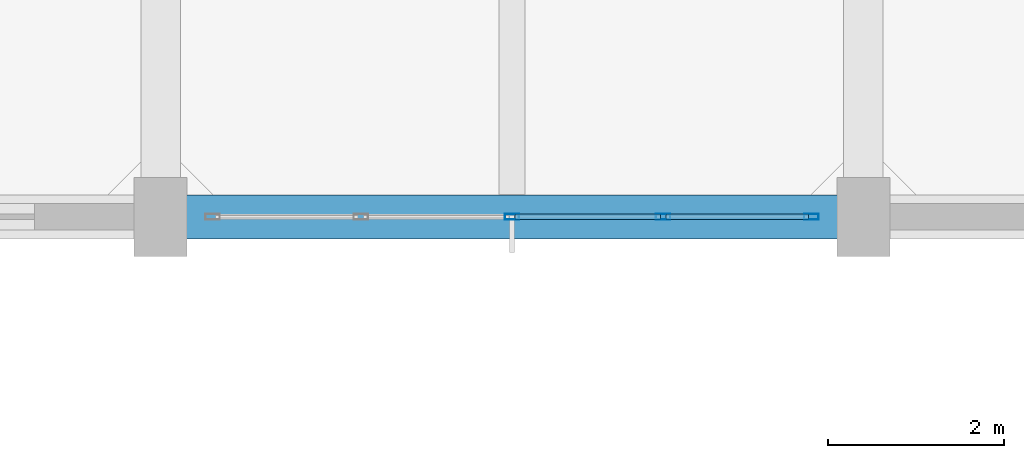
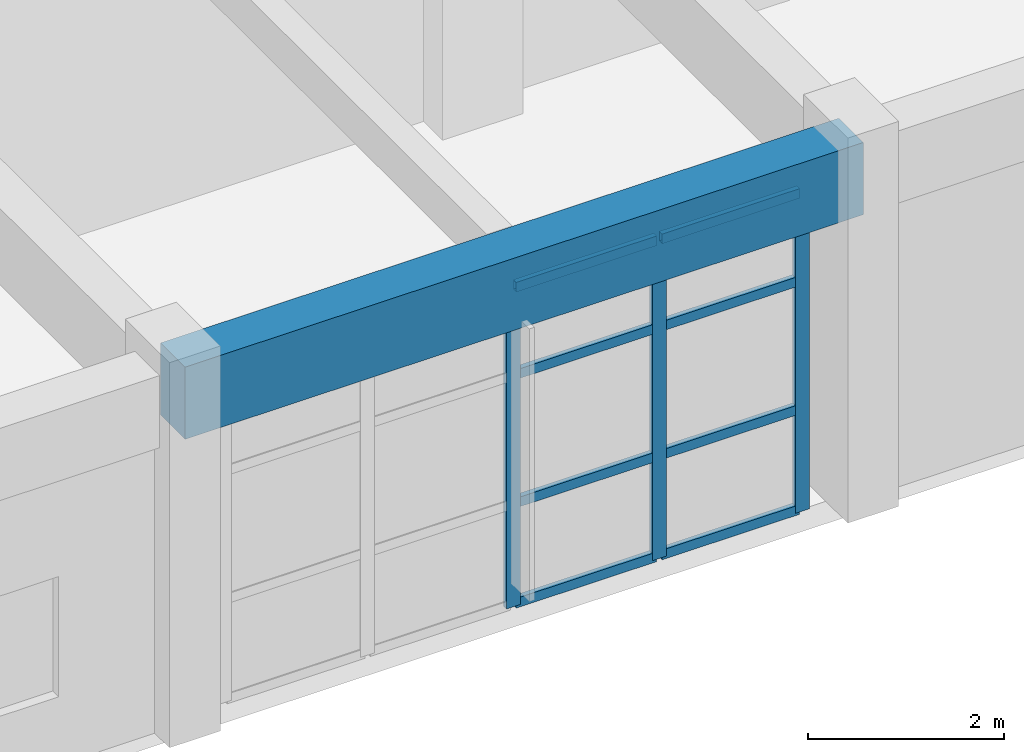
# One storey, part 187 of 248: 11 members, 1 beam, 1 element without a shape of its own.
"""IFC4 building model written with IfcOpenShell, lengths in metres."""

from ifc_helpers import new_model, si_unit, direction, frame, origin, origin_2d, place, context, subcontext, project, spatial, rectangle, hollow_rectangle, extrude, material, layer, layer_set, material_profile, profile_set, type_object, element, aggregate, save


model = new_model("IFC4")

# Units and contexts
model_context = context("Model", 3, precision=1e-05, world=origin(), true_north=direction((0.0, 1.0)))
body_context = subcontext(model_context, "Body", "Model", "MODEL_VIEW")
ifc_project = project(units=[si_unit("LENGTHUNIT", "METRE"), si_unit("AREAUNIT", "SQUARE_METRE"), si_unit("VOLUMEUNIT", "CUBIC_METRE"), si_unit("PLANEANGLEUNIT", "RADIAN"), si_unit("MASSUNIT", "GRAM", prefix="KILO")], contexts=[model_context])

# Site, building, storey
site_placement = place(None, origin())
site = spatial("IfcSite", under=ifc_project, at=site_placement, CompositionType="ELEMENT")
building_placement = place(site_placement, origin())
building = spatial("IfcBuilding", under=site, at=building_placement, Name="Canggui Botanical Conservatory", CompositionType="ELEMENT")
storey_placement = place(building_placement, frame((0.0, 0.0, 5.39990234375)))
storey = spatial("IfcBuildingStorey", under=building, at=storey_placement, Name="L02", CompositionType="ELEMENT", Elevation=5.39990234375)

# Beam
ifc_material_1 = material(Name="Concrete C35", Category="concrete")
ifc_material_profile_1 = material_profile(ifc_material_1, rectangle(XDim=0.5, YDim=0.89990234375, at=origin_2d()), Name="RB 500x900")
ifc_profile_set_1 = profile_set([ifc_material_profile_1], Name="Concrete C35")
beam_type = type_object("IfcBeamType", Name="BM-KL03", PredefinedType="BEAM", material=ifc_profile_set_1)
beam_placement = place(storey_placement, frame((162.0, 26.0, 4.070068359375), z_axis=(1.0, 0.0, 0.0), x_axis=(0.0, 1.0, 0.0)))
element("IfcBeam", 1, at=beam_placement, inside=storey, type_object=beam_type, Name="Frame Girder L02 Y26-5", PredefinedType="BEAM", context=body_context, shape_type="SweptSolid", body=[
    extrude(rectangle(XDim=0.5, YDim=0.89990234375, at=origin_2d()), origin(), (0.0, 0.0, 1.0), 8.0),
])

# Curtain wall, members
ifc_material_2 = material(Name="Thermally Broken Aluminium", Category="aluminium")
ifc_layer = layer(ifc_material_2, 0.1650390625, Name="Thermally Broken Aluminium", Category="aluminium")
ifc_layer_set = layer_set([ifc_layer], Name="Thermally Broken Aluminium")
curtain_wall_type = type_object("IfcCurtainWallType", Name="CW-UNIT-B", PredefinedType="USERDEFINED", material=ifc_layer_set)
curtain_wall_placement = place(storey_placement, origin())
curtain_wall = element("IfcCurtainWall", 2, at=curtain_wall_placement, inside=storey, type_object=curtain_wall_type, Name="Facade Curtain Wall CW-TWR-L02-02", ObjectType="UNITISED CURTAIN WALL", PredefinedType="USERDEFINED")
ifc_material_profile_2 = material_profile(ifc_material_2, hollow_rectangle(XDim=0.06494140625, YDim=0.1650390625, WallThickness=0.00390625, at=origin_2d()), Name="CWM 65x165x4")
ifc_profile_set_2 = profile_set([ifc_material_profile_2], Name="Thermally Broken Aluminium")
member_type_1 = type_object("IfcMemberType", Name="CWM-02", PredefinedType="MULLION", material=ifc_profile_set_2)
member_1_placement = place(storey_placement, frame((169.407470703125, 26.0, 0.0), z_axis=(0.0, 0.0, 1.0), x_axis=(0.0, -1.0, 0.0)))
member_1 = element("IfcMember", 3, at=member_1_placement, type_object=member_type_1, Name="CW-02 mullion 1", PredefinedType="MULLION", context=body_context, shape_type="SweptSolid", body=[
    extrude(hollow_rectangle(XDim=0.06494140625, YDim=0.1650390625, WallThickness=0.00390625, at=origin_2d()), origin(), (0.0, 0.0, 1.0), 4.0),
])
member_2_placement = place(storey_placement, frame((167.719970703125, 26.0, 0.0), z_axis=(0.0, 0.0, 1.0), x_axis=(0.0, -1.0, 0.0)))
member_2 = element("IfcMember", 4, at=member_2_placement, type_object=member_type_1, Name="CW-02 mullion 2", PredefinedType="MULLION", context=body_context, shape_type="SweptSolid", body=[
    extrude(hollow_rectangle(XDim=0.06494140625, YDim=0.1650390625, WallThickness=0.00390625, at=origin_2d()), origin(), (0.0, 0.0, 1.0), 4.0),
])
member_3_placement = place(storey_placement, frame((166.0, 26.0, 0.0), z_axis=(0.0, 0.0, 1.0), x_axis=(0.0, -1.0, 0.0)))
member_3 = element("IfcMember", 5, at=member_3_placement, type_object=member_type_1, Name="CW-02 mullion 3", PredefinedType="MULLION", context=body_context, shape_type="SweptSolid", body=[
    extrude(hollow_rectangle(XDim=0.06494140625, YDim=0.1650390625, WallThickness=0.00390625, at=origin_2d()), origin(), (0.0, 0.0, 1.0), 4.0),
])
ifc_material_profile_3 = material_profile(ifc_material_2, hollow_rectangle(XDim=0.06005859375, YDim=0.1201171875, WallThickness=0.00341796875, at=origin_2d()), Name="CWT 60x120x3.5")
ifc_profile_set_3 = profile_set([ifc_material_profile_3], Name="Thermally Broken Aluminium")
member_type_2 = type_object("IfcMemberType", Name="CWT-02", PredefinedType="USERDEFINED", material=ifc_profile_set_3)
member_4_placement = place(storey_placement, frame((169.375, 26.0, 0.030029296875), z_axis=(-1.0, 0.0, 0.0), x_axis=(0.0, -1.0, 0.0)))
member_4 = element("IfcMember", 6, at=member_4_placement, type_object=member_type_2, Name="CW-02 transom 1.1", ObjectType="TRANSOM", PredefinedType="USERDEFINED", context=body_context, shape_type="SweptSolid", body=[
    extrude(hollow_rectangle(XDim=0.06005859375, YDim=0.1201171875, WallThickness=0.00341796875, at=origin_2d()), origin(), (0.0, 0.0, 1.0), 1.62255859375),
])
member_5_placement = place(storey_placement, frame((169.375, 26.0, 1.280029296875), z_axis=(-1.0, 0.0, 0.0), x_axis=(0.0, -1.0, 0.0)))
member_5 = element("IfcMember", 7, at=member_5_placement, type_object=member_type_2, Name="CW-02 transom 1.2", ObjectType="TRANSOM", PredefinedType="USERDEFINED", context=body_context, shape_type="SweptSolid", body=[
    extrude(hollow_rectangle(XDim=0.06005859375, YDim=0.1201171875, WallThickness=0.00341796875, at=origin_2d()), origin(), (0.0, 0.0, 1.0), 1.62255859375),
])
member_6_placement = place(storey_placement, frame((169.375, 26.0, 2.880126953125), z_axis=(-1.0, 0.0, 0.0), x_axis=(0.0, -1.0, 0.0)))
member_6 = element("IfcMember", 8, at=member_6_placement, type_object=member_type_2, Name="CW-02 transom 1.3", ObjectType="TRANSOM", PredefinedType="USERDEFINED", context=body_context, shape_type="SweptSolid", body=[
    extrude(hollow_rectangle(XDim=0.06005859375, YDim=0.1201171875, WallThickness=0.00341796875, at=origin_2d()), origin(), (0.0, 0.0, 1.0), 1.62255859375),
])
member_7_placement = place(storey_placement, frame((169.375, 26.0, 3.97021484375), z_axis=(-1.0, 0.0, 0.0), x_axis=(0.0, -1.0, 0.0)))
member_7 = element("IfcMember", 9, at=member_7_placement, type_object=member_type_2, Name="CW-02 transom 1.4", ObjectType="TRANSOM", PredefinedType="USERDEFINED", context=body_context, shape_type="SweptSolid", body=[
    extrude(hollow_rectangle(XDim=0.06005859375, YDim=0.1201171875, WallThickness=0.00341796875, at=origin_2d()), origin(), (0.0, 0.0, 1.0), 1.62255859375),
])
member_8_placement = place(storey_placement, frame((167.6875, 26.0, 0.030029296875), z_axis=(-1.0, 0.0, 0.0), x_axis=(0.0, -1.0, 0.0)))
member_8 = element("IfcMember", 10, at=member_8_placement, type_object=member_type_2, Name="CW-02 transom 2.1", ObjectType="TRANSOM", PredefinedType="USERDEFINED", context=body_context, shape_type="SweptSolid", body=[
    extrude(hollow_rectangle(XDim=0.06005859375, YDim=0.1201171875, WallThickness=0.00341796875, at=origin_2d()), origin(), (0.0, 0.0, 1.0), 1.655029296875),
])
member_9_placement = place(storey_placement, frame((167.6875, 26.0, 1.280029296875), z_axis=(-1.0, 0.0, 0.0), x_axis=(0.0, -1.0, 0.0)))
member_9 = element("IfcMember", 11, at=member_9_placement, type_object=member_type_2, Name="CW-02 transom 2.2", ObjectType="TRANSOM", PredefinedType="USERDEFINED", context=body_context, shape_type="SweptSolid", body=[
    extrude(hollow_rectangle(XDim=0.06005859375, YDim=0.1201171875, WallThickness=0.00341796875, at=origin_2d()), origin(), (0.0, 0.0, 1.0), 1.655029296875),
])
member_10_placement = place(storey_placement, frame((167.6875, 26.0, 2.880126953125), z_axis=(-1.0, 0.0, 0.0), x_axis=(0.0, -1.0, 0.0)))
member_10 = element("IfcMember", 12, at=member_10_placement, type_object=member_type_2, Name="CW-02 transom 2.3", ObjectType="TRANSOM", PredefinedType="USERDEFINED", context=body_context, shape_type="SweptSolid", body=[
    extrude(hollow_rectangle(XDim=0.06005859375, YDim=0.1201171875, WallThickness=0.00341796875, at=origin_2d()), origin(), (0.0, 0.0, 1.0), 1.655029296875),
])
member_11_placement = place(storey_placement, frame((167.6875, 26.0, 3.97021484375), z_axis=(-1.0, 0.0, 0.0), x_axis=(0.0, -1.0, 0.0)))
member_11 = element("IfcMember", 13, at=member_11_placement, type_object=member_type_2, Name="CW-02 transom 2.4", ObjectType="TRANSOM", PredefinedType="USERDEFINED", context=body_context, shape_type="SweptSolid", body=[
    extrude(hollow_rectangle(XDim=0.06005859375, YDim=0.1201171875, WallThickness=0.00341796875, at=origin_2d()), origin(), (0.0, 0.0, 1.0), 1.655029296875),
])
aggregate(curtain_wall, [member_1, member_2, member_3, member_4, member_5, member_6, member_7, member_8, member_9, member_10, member_11])

save(model, "model.ifc")
